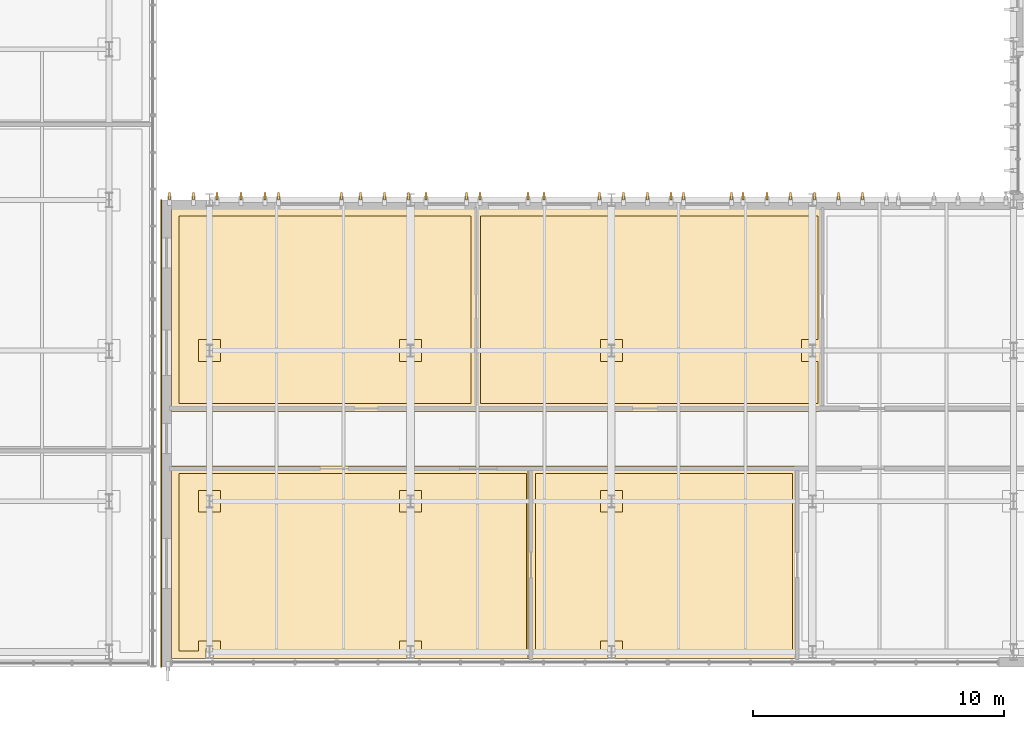
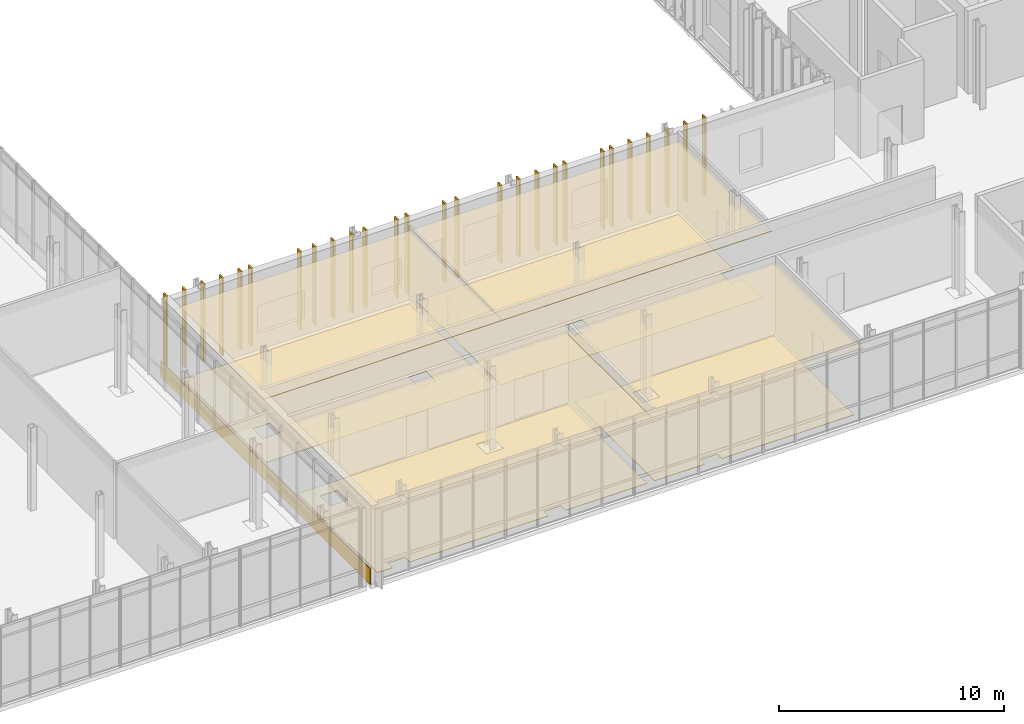
# One storey, part 91 of 100: 36 coverings.
"""IFC4 building model written with IfcOpenShell, lengths in metres."""

from ifc_helpers import new_model, si_unit, direction, frame, frame_2d, origin, origin_2d, place, context, subcontext, project, spatial, polyline, rectangle, outline, extrude, material, layer, layer_set, type_object, element, save


model = new_model("IFC4")

# Units and contexts
model_context = context("Model", 3, precision=1e-05, world=origin(), true_north=direction((0.0, 1.0)))
body_context = subcontext(model_context, "Body", "Model", "MODEL_VIEW")
ifc_project = project(units=[si_unit("LENGTHUNIT", "METRE"), si_unit("AREAUNIT", "SQUARE_METRE"), si_unit("VOLUMEUNIT", "CUBIC_METRE"), si_unit("PLANEANGLEUNIT", "RADIAN"), si_unit("MASSUNIT", "GRAM", prefix="KILO")], contexts=[model_context])

# Site, building, storey
site_placement = place(None, origin())
site = spatial("IfcSite", under=ifc_project, at=site_placement, CompositionType="ELEMENT")
building_placement = place(site_placement, origin())
building = spatial("IfcBuilding", under=site, at=building_placement, Name="Cymarion Research Institute", CompositionType="ELEMENT")
storey_placement = place(building_placement, frame((0.0, 0.0, 4.800048828125)))
storey = spatial("IfcBuildingStorey", under=building, at=storey_placement, Name="L01", CompositionType="ELEMENT", Elevation=4.800048828125)

# Coverings
ifc_material_1 = material(Name="Micro-perforated mineral acoustic ceiling tile", Category="gypsum")
ifc_layer_1 = layer(ifc_material_1, 0.030029296875)
ifc_layer_set_1 = layer_set([ifc_layer_1], Name="Micro-perforated mineral acoustic ceiling tile")
covering_type_1 = type_object("IfcCoveringType", Name="ACOUSTIC MICRO-PERFORATED SUSPENDED CEILING CLG-01", PredefinedType="CEILING", material=ifc_layer_set_1)
covering_1_placement = place(storey_placement, frame((0.0, 0.0, 3.699951171875)))
element("IfcCovering", 1, at=covering_1_placement, inside=storey, type_object=covering_type_1, Name="L01 Molecular Biology Wet Laboratory acoustic ceiling", PredefinedType="CEILING", context=body_context, shape_type="SweptSolid", body=[
    extrude(outline(polyline([(119.514892578125, 12.9150390625), (119.514892578125, 5.235107421875), (114.735107421875, 5.235107421875), (114.735107421875, 5.635009765625), (114.465087890625, 5.635009765625), (114.465087890625, 5.235107421875), (106.735107421875, 5.235107421875), (106.735107421875, 5.635009765625), (106.465087890625, 5.635009765625), (106.465087890625, 5.235107421875), (105.0849609375, 5.235107421875), (105.0849609375, 12.9150390625), (119.514892578125, 12.9150390625)])), origin(), (0.0, 0.0, 1.0), 0.030029296875),
])
covering_2_placement = place(storey_placement, frame((0.0, 0.0, 3.699951171875)))
element("IfcCovering", 2, at=covering_2_placement, inside=storey, type_object=covering_type_1, Name="L01 Cell Culture & BSL-2 Suite acoustic ceiling", PredefinedType="CEILING", context=body_context, shape_type="SweptSolid", body=[
    extrude(outline(polyline([(130.114990234375, 12.9150390625), (130.114990234375, 5.235107421875), (122.735107421875, 5.235107421875), (122.735107421875, 5.635009765625), (122.465087890625, 5.635009765625), (122.465087890625, 5.235107421875), (119.284912109375, 5.235107421875), (119.284912109375, 12.9150390625), (130.114990234375, 12.9150390625)])), origin(), (0.0, 0.0, 1.0), 0.030029296875),
])
covering_3_placement = place(storey_placement, frame((0.0, 0.0, 3.699951171875)))
element("IfcCovering", 3, at=covering_3_placement, inside=storey, type_object=covering_type_1, Name="L01 L01 Dry Researcher Write-Up Cluster West acoustic ceiling", PredefinedType="CEILING", context=body_context, shape_type="SweptSolid", body=[
    extrude(outline(polyline([(117.31494140625, 23.1650390625), (117.31494140625, 15.0849609375), (105.0849609375, 15.0849609375), (105.0849609375, 23.1650390625), (117.31494140625, 23.1650390625)])), origin(), (0.0, 0.0, 1.0), 0.030029296875),
])
covering_4_placement = place(storey_placement, frame((0.0, 0.0, 3.699951171875)))
element("IfcCovering", 4, at=covering_4_placement, inside=storey, type_object=covering_type_1, Name="L01 L01 Dry Researcher Write-Up Cluster East acoustic ceiling", PredefinedType="CEILING", context=body_context, shape_type="SweptSolid", body=[
    extrude(outline(polyline([(131.114990234375, 23.1650390625), (131.114990234375, 15.0849609375), (117.0849609375, 15.0849609375), (117.0849609375, 23.1650390625), (131.114990234375, 23.1650390625)])), origin(), (0.0, 0.0, 1.0), 0.030029296875),
])
ifc_material_2 = material(Name="Precast concrete C45/55 architectural white", Category="concrete")
ifc_layer_2 = layer(ifc_material_2, 0.080078125)
ifc_layer_set_2 = layer_set([ifc_layer_2], Name="Precast concrete C45/55 architectural white")
covering_type_2 = type_object("IfcCoveringType", Name="ARCHITECTURAL WHITE PRECAST CONCRETE VERTICAL FIN FIN4 300MM", PredefinedType="CLADDING", material=ifc_layer_set_2)
for number, where, z_axis, x_axis, name in (
    (5, (132.59130859375, 23.652099609375, 0.010009765625), (0.0, 0.0, 1.0), (0.0, 1.0, 0.0), "L01 V1 white precast vertical fin FIN4 #183"),
    (6, (131.639892578125, 23.652099609375, 0.010009765625), (0.0, 0.0, 1.0), (0.0, 1.0, 0.0), "L01 V1 white precast vertical fin FIN4 #184"),
    (7, (130.688720703125, 23.652099609375, 0.010009765625), (0.0, 0.0, 1.0), (0.0, 1.0, 0.0), "L01 V1 white precast vertical fin FIN4 #185"),
    (8, (129.737060546875, 23.652099609375, 0.010009765625), (0.0, 0.0, 1.0), (0.0, 1.0, 0.0), "L01 V1 white precast vertical fin FIN4 #186"),
    (9, (128.78564453125, 23.652099609375, 0.010009765625), (0.0, 0.0, 1.0), (0.0, 1.0, 0.0), "L01 V1 white precast vertical fin FIN4 #187"),
    (10, (127.834228515625, 23.652099609375, 0.010009765625), (0.0, 0.0, 1.0), (0.0, 1.0, 0.0), "L01 V1 white precast vertical fin FIN4 #188"),
    (11, (127.3798828125, 23.652099609375, 0.010009765625), (0.0, 0.0, 1.0), (0.0, 1.0, 0.0), "L01 V1 white precast vertical fin FIN4 #189"),
    (12, (125.4599609375, 23.652099609375, 0.010009765625), (0.0, 0.0, 1.0), (0.0, 1.0, 0.0), "L01 V1 white precast vertical fin FIN4 #190"),
    (13, (124.97998046875, 23.652099609375, 0.010009765625), (0.0, 0.0, 1.0), (0.0, 1.0, 0.0), "L01 V1 white precast vertical fin FIN4 #191"),
    (14, (124.028564453125, 23.652099609375, 0.010009765625), (0.0, 0.0, 1.0), (0.0, 1.0, 0.0), "L01 V1 white precast vertical fin FIN4 #192"),
    (15, (123.0771484375, 23.652099609375, 0.010009765625), (0.0, 0.0, 1.0), (0.0, 1.0, 0.0), "L01 V1 white precast vertical fin FIN4 #193"),
    (16, (122.125732421875, 23.652099609375, 0.010009765625), (0.0, 0.0, 1.0), (0.0, 1.0, 0.0), "L01 V1 white precast vertical fin FIN4 #194"),
    (17, (119.919921875, 23.652099609375, 0.010009765625), (0.0, 0.0, 1.0), (0.0, 1.0, 0.0), "L01 V1 white precast vertical fin FIN4 #195"),
    (18, (119.271484375, 23.652099609375, 0.010009765625), (0.0, 0.0, 1.0), (0.0, 1.0, 0.0), "L01 V1 white precast vertical fin FIN4 #196"),
    (19, (117.36865234375, 23.652099609375, 0.010009765625), (0.0, 0.0, 1.0), (0.0, 1.0, 0.0), "L01 V1 white precast vertical fin FIN4 #197"),
    (20, (116.830078125, 23.652099609375, 0.010009765625), (0.0, 0.0, 1.0), (0.0, 1.0, 0.0), "L01 V1 white precast vertical fin FIN4 #198"),
    (21, (115.2099609375, 23.652099609375, 0.010009765625), (0.0, 0.0, 1.0), (0.0, 1.0, 0.0), "L01 V1 white precast vertical fin FIN4 #199"),
    (22, (114.514404296875, 23.652099609375, 0.010009765625), (0.0, 0.0, 1.0), (0.0, 1.0, 0.0), "L01 V1 white precast vertical fin FIN4 #200"),
    (23, (113.56298828125, 23.652099609375, 0.010009765625), (0.0, 0.0, 1.0), (0.0, 1.0, 0.0), "L01 V1 white precast vertical fin FIN4 #201"),
    (24, (112.611328125, 23.652099609375, 0.010009765625), (0.0, 0.0, 1.0), (0.0, 1.0, 0.0), "L01 V1 white precast vertical fin FIN4 #202"),
    (25, (111.860107421875, 23.652099609375, 0.010009765625), (0.0, 0.0, 1.0), (0.0, 1.0, 0.0), "L01 V1 white precast vertical fin FIN4 #203"),
    (26, (109.340087890625, 23.652099609375, 0.010009765625), (0.0, 0.0, 1.0), (0.0, 1.0, 0.0), "L01 V1 white precast vertical fin FIN4 #204"),
    (27, (108.8056640625, 23.652099609375, 0.010009765625), (0.0, 0.0, 1.0), (0.0, 1.0, 0.0), "L01 V1 white precast vertical fin FIN4 #205"),
    (28, (107.854248046875, 23.652099609375, 0.010009765625), (0.0, 0.0, 1.0), (0.0, 1.0, 0.0), "L01 V1 white precast vertical fin FIN4 #206"),
    (29, (106.90283203125, 23.652099609375, 0.010009765625), (0.0, 0.0, 1.0), (0.0, 1.0, 0.0), "L01 V1 white precast vertical fin FIN4 #207"),
    (30, (105.951416015625, 23.652099609375, 0.010009765625), (0.0, 0.0, 1.0), (0.0, 1.0, 0.0), "L01 V1 white precast vertical fin FIN4 #208"),
    (31, (105.0, 23.652099609375, 0.010009765625), (0.0, 0.0, 1.0), (0.0, 1.0, 0.0), "L01 V1 white precast vertical fin FIN4 #209"),
):
    element("IfcCovering", number, at=place(storey_placement, frame(where, z_axis=z_axis, x_axis=x_axis)), inside=storey, type_object=covering_type_2, Name=name, PredefinedType="CLADDING", context=body_context, shape_type="SweptSolid", body=[
        extrude(rectangle(XDim=0.300048828125, YDim=0.080078125, at=origin_2d()), origin(), (0.0, 0.0, 1.0), 4.22998046875),
    ])
ifc_material_3 = material(Name="Seamless dissipative epoxy resin flooring", Category="resin")
ifc_layer_3 = layer(ifc_material_3, 0.02001953125)
ifc_layer_set_3 = layer_set([ifc_layer_3], Name="Seamless dissipative epoxy resin flooring")
covering_type_3 = type_object("IfcCoveringType", Name="SEAMLESS ESD EPOXY LABORATORY FLOORING FLR-01", PredefinedType="FLOORING", material=ifc_layer_set_3)
covering_5_placement = place(storey_placement, origin())
element("IfcCovering", 32, at=covering_5_placement, inside=storey, type_object=covering_type_3, Name="L01 Molecular Biology Wet Laboratory ESD epoxy flooring", PredefinedType="FLOORING", context=body_context, shape_type="SweptSolid", body=[
    extrude(outline(polyline([(105.385009765625, 12.614990234375), (119.215087890625, 12.614990234375), (119.215087890625, 5.534912109375), (115.034912109375, 5.534912109375), (115.034912109375, 5.93505859375), (114.1650390625, 5.93505859375), (114.1650390625, 5.534912109375), (107.034912109375, 5.534912109375), (107.034912109375, 5.93505859375), (106.1650390625, 5.93505859375), (106.1650390625, 5.534912109375), (105.385009765625, 5.534912109375), (105.385009765625, 12.614990234375)]), holes=[polyline([(115.034912109375, 11.93505859375), (114.1650390625, 11.93505859375), (114.1650390625, 11.06494140625), (115.034912109375, 11.06494140625), (115.034912109375, 11.93505859375)]), polyline([(107.034912109375, 11.93505859375), (106.1650390625, 11.93505859375), (106.1650390625, 11.06494140625), (107.034912109375, 11.06494140625), (107.034912109375, 11.93505859375)])]), origin(), (0.0, 0.0, 1.0), 0.02001953125),
])
covering_6_placement = place(storey_placement, origin())
element("IfcCovering", 33, at=covering_6_placement, inside=storey, type_object=covering_type_3, Name="L01 Cell Culture & BSL-2 Suite ESD epoxy flooring", PredefinedType="FLOORING", context=body_context, shape_type="SweptSolid", body=[
    extrude(outline(polyline([(119.5849609375, 12.614990234375), (129.81494140625, 12.614990234375), (129.81494140625, 5.534912109375), (123.034912109375, 5.534912109375), (123.034912109375, 5.93505859375), (122.1650390625, 5.93505859375), (122.1650390625, 5.534912109375), (119.5849609375, 5.534912109375), (119.5849609375, 12.614990234375)]), holes=[polyline([(123.034912109375, 11.93505859375), (122.1650390625, 11.93505859375), (122.1650390625, 11.06494140625), (123.034912109375, 11.06494140625), (123.034912109375, 11.93505859375)])]), origin(), (0.0, 0.0, 1.0), 0.02001953125),
])
covering_7_placement = place(storey_placement, origin())
element("IfcCovering", 34, at=covering_7_placement, inside=storey, type_object=covering_type_3, Name="L01 L01 Dry Researcher Write-Up Cluster West ESD epoxy flooring", PredefinedType="FLOORING", context=body_context, shape_type="SweptSolid", body=[
    extrude(outline(polyline([(105.385009765625, 22.864990234375), (117.014892578125, 22.864990234375), (117.014892578125, 15.385009765625), (105.385009765625, 15.385009765625), (105.385009765625, 22.864990234375)]), holes=[polyline([(115.034912109375, 17.93505859375), (114.1650390625, 17.93505859375), (114.1650390625, 17.06494140625), (115.034912109375, 17.06494140625), (115.034912109375, 17.93505859375)]), polyline([(107.034912109375, 17.93505859375), (106.1650390625, 17.93505859375), (106.1650390625, 17.06494140625), (107.034912109375, 17.06494140625), (107.034912109375, 17.93505859375)])]), origin(), (0.0, 0.0, 1.0), 0.02001953125),
])
covering_8_placement = place(storey_placement, origin())
element("IfcCovering", 35, at=covering_8_placement, inside=storey, type_object=covering_type_3, Name="L01 L01 Dry Researcher Write-Up Cluster East ESD epoxy flooring", PredefinedType="FLOORING", context=body_context, shape_type="SweptSolid", body=[
    extrude(outline(polyline([(117.385009765625, 22.864990234375), (130.81494140625, 22.864990234375), (130.81494140625, 17.93505859375), (130.1650390625, 17.93505859375), (130.1650390625, 17.06494140625), (130.81494140625, 17.06494140625), (130.81494140625, 15.385009765625), (117.385009765625, 15.385009765625), (117.385009765625, 22.864990234375)]), holes=[polyline([(123.034912109375, 17.93505859375), (122.1650390625, 17.93505859375), (122.1650390625, 17.06494140625), (123.034912109375, 17.06494140625), (123.034912109375, 17.93505859375)])]), origin(), (0.0, 0.0, 1.0), 0.02001953125),
])
ifc_material_4 = material(Name="Campanian volcanic piperno stone rainscreen", Category="masonry")
ifc_layer_4 = layer(ifc_material_4, 0.050048828125)
ifc_layer_set_4 = layer_set([ifc_layer_4], Name="Campanian volcanic piperno stone rainscreen")
covering_type_4 = type_object("IfcCoveringType", Name="VENTILATED TUFF STONE SPANDREL CLADDING COV-CL01", PredefinedType="CLADDING", material=ifc_layer_set_4)
covering_9_placement = place(storey_placement, frame((104.675048828125, 23.5, 0.0), z_axis=(0.0, 0.0, 1.0), x_axis=(0.0, -1.0, 0.0)))
element("IfcCovering", 36, at=covering_9_placement, inside=storey, type_object=covering_type_4, Name="L01 V1 volcanic piperno stone spandrel cladding #7", PredefinedType="CLADDING", context=body_context, shape_type="SweptSolid", body=[
    extrude(rectangle(XDim=18.60009765625, YDim=0.050048828125, at=frame_2d((9.300048828125, 0.0))), origin(), (0.0, 0.0, 1.0), 0.85986328125),
])

save(model, "model.ifc")
